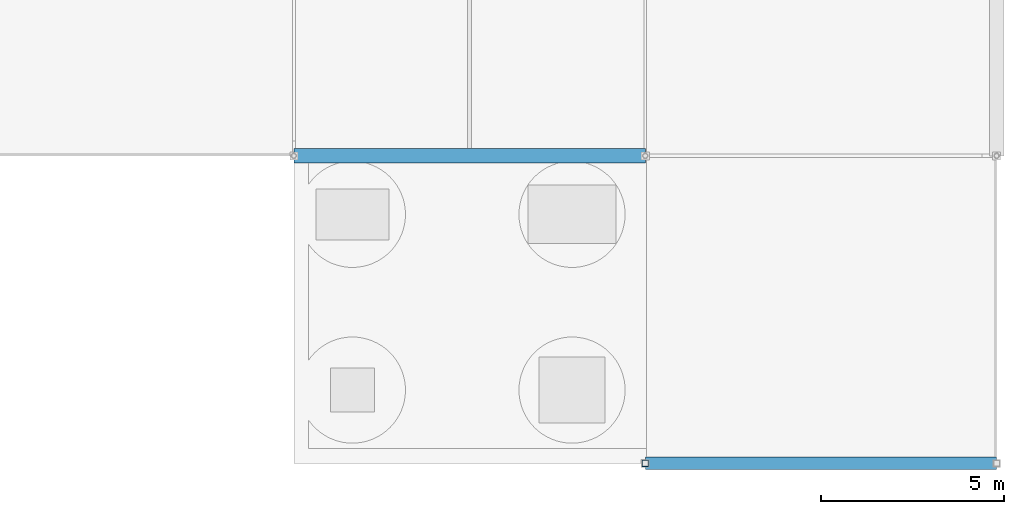
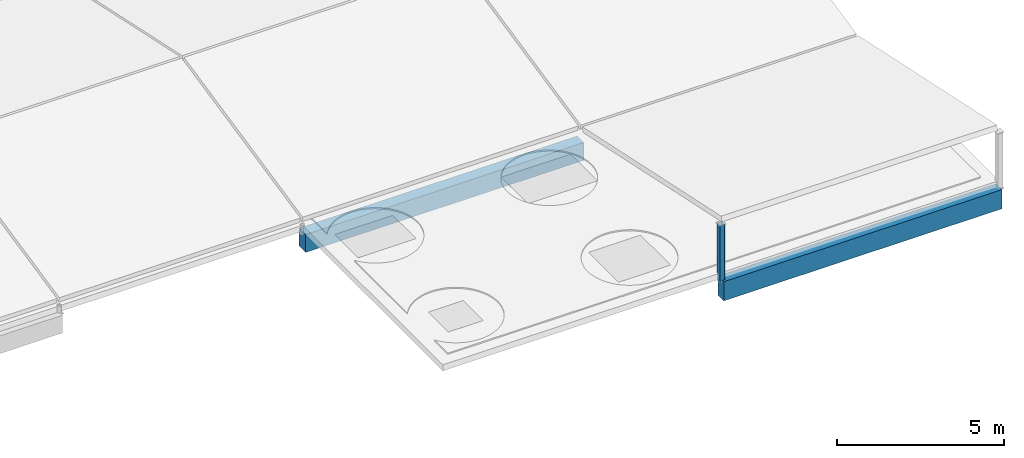
# One storey, part 2 of 11: 2 beams, 1 member.
"""IFC4 building model written with IfcOpenShell, lengths in metres."""

from ifc_helpers import new_model, si_unit, direction, frame, origin, origin_2d, place, context, subcontext, project, spatial, rectangle, hollow_rectangle, extrude, material, material_profile, profile_set, type_object, element, save


model = new_model("IFC4")

# Units and contexts
model_context = context("Model", 3, precision=1e-05, world=origin(), true_north=direction((0.0, 1.0)))
body_context = subcontext(model_context, "Body", "Model", "MODEL_VIEW")
ifc_project = project(units=[si_unit("LENGTHUNIT", "METRE"), si_unit("AREAUNIT", "SQUARE_METRE"), si_unit("VOLUMEUNIT", "CUBIC_METRE"), si_unit("PLANEANGLEUNIT", "RADIAN"), si_unit("MASSUNIT", "GRAM", prefix="KILO")], contexts=[model_context])

# Site, building, storey
site_placement = place(None, origin())
site = spatial("IfcSite", under=ifc_project, at=site_placement, CompositionType="ELEMENT")
building_placement = place(site_placement, origin())
building = spatial("IfcBuilding", under=site, at=building_placement, Name="Kisaragi Civic Commons", CompositionType="ELEMENT")
storey_placement = place(building_placement, frame((0.0, 0.0, 21.60009765625)))
storey = spatial("IfcBuildingStorey", under=building, at=storey_placement, Name="RF", CompositionType="ELEMENT", Elevation=21.60009765625)

# Beams
ifc_material_1 = material(Name="Concrete Fc30", Category="concrete")
ifc_material_profile_1 = material_profile(ifc_material_1, rectangle(XDim=0.39990234375, YDim=0.64990234375, at=origin_2d()), Name="RC-400x650", Category="concrete")
ifc_profile_set_1 = profile_set([ifc_material_profile_1], Name="Concrete Fc30")
beam_type_1 = type_object("IfcBeamType", Name="G-05", PredefinedType="BEAM", material=ifc_profile_set_1)
beam_1_placement = place(storey_placement, frame((114.0, 104.39990234375, -0.545166015625), z_axis=(1.0, 0.0, 0.0), x_axis=(0.0, 1.0, 0.0)))
element("IfcBeam", 1, at=beam_1_placement, inside=storey, type_object=beam_type_1, Name="RF girder G-05 350", PredefinedType="BEAM", context=body_context, shape_type="SweptSolid", body=[
    extrude(rectangle(XDim=0.39990234375, YDim=0.64990234375, at=origin_2d()), origin(), (0.0, 0.0, 1.0), 9.60009765625),
])
ifc_material_2 = material(Name="Precast concrete Fc36", Category="concrete")
ifc_material_profile_2 = material_profile(ifc_material_2, rectangle(XDim=0.35009765625, YDim=0.699951171875, at=origin_2d()), Name="PC-350x700", Category="concrete")
ifc_profile_set_2 = profile_set([ifc_material_profile_2], Name="Precast concrete Fc36")
beam_type_2 = type_object("IfcBeamType", Name="SPB-03", PredefinedType="SPANDREL", material=ifc_profile_set_2)
beam_2_placement = place(storey_placement, frame((123.60009765625, 96.0, -0.570068359375), z_axis=(1.0, 0.0, 0.0), x_axis=(0.0, 1.0, 0.0)))
element("IfcBeam", 2, at=beam_2_placement, inside=storey, type_object=beam_type_2, Name="RF girder SPB-03 348", PredefinedType="SPANDREL", context=body_context, shape_type="SweptSolid", body=[
    extrude(rectangle(XDim=0.35009765625, YDim=0.699951171875, at=origin_2d()), origin(), (0.0, 0.0, 1.0), 9.599853515625),
])

# Member
ifc_material_3 = material(Name="Steel STKR400", Category="steel")
ifc_material_profile_3 = material_profile(ifc_material_3, hollow_rectangle(XDim=0.175048828125, YDim=0.175048828125, WallThickness=0.006103515625, InnerFilletRadius=0.006103515625, OuterFilletRadius=0.011962890625, at=origin_2d()), Name="STKR-175x175x6", Category="steel")
ifc_profile_set_3 = profile_set([ifc_material_profile_3], Name="Steel STKR400")
member_type = type_object("IfcMemberType", Name="ST-C2", PredefinedType="STRUT", material=ifc_profile_set_3)
member_placement = place(storey_placement, frame((123.60009765625, 96.0, -0.25), z_axis=(0.0, 0.0, 1.0), x_axis=(1.0, 0.0, 0.0)))
element("IfcMember", 3, at=member_placement, inside=storey, type_object=member_type, Name="RF solar canopy post (123.6,96.0)", PredefinedType="STRUT", context=body_context, shape_type="SweptSolid", body=[
    extrude(hollow_rectangle(XDim=0.175048828125, YDim=0.175048828125, WallThickness=0.006103515625, InnerFilletRadius=0.006103515625, OuterFilletRadius=0.011962890625, at=origin_2d()), origin(), (0.0, 0.0, 1.0), 2.0498046875),
])

save(model, "model.ifc")
